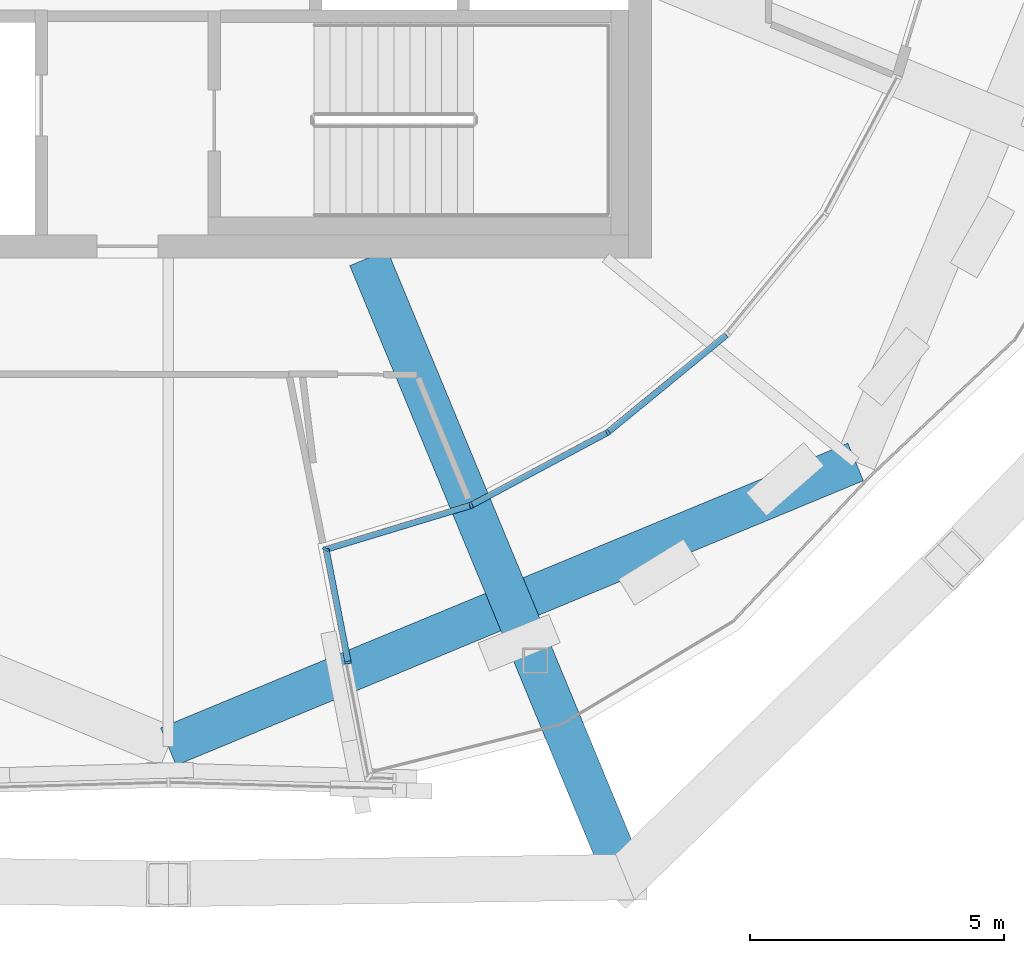
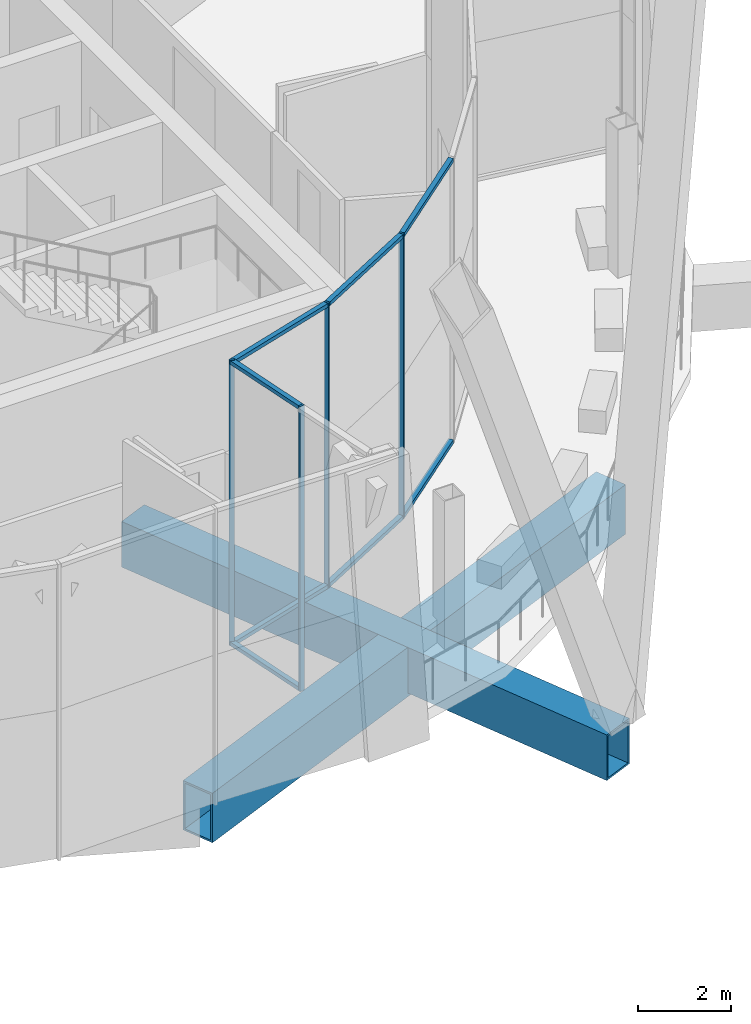
# One storey, part 7 of 53: 12 members, 2 beams, 1 element without a shape of its own.
"""IFC4 building model written with IfcOpenShell, lengths in metres."""

from ifc_helpers import new_model, si_unit, direction, frame, origin, origin_2d, place, context, subcontext, project, spatial, rectangle, hollow_rectangle, extrude, material, material_profile, profile_set, type_object, element, aggregate, save


model = new_model("IFC4")

# Units and contexts
model_context = context("Model", 3, precision=1e-05, world=origin(), true_north=direction((0.0, 1.0)))
body_context = subcontext(model_context, "Body", "Model", "MODEL_VIEW")
ifc_project = project(units=[si_unit("LENGTHUNIT", "METRE"), si_unit("AREAUNIT", "SQUARE_METRE"), si_unit("VOLUMEUNIT", "CUBIC_METRE"), si_unit("PLANEANGLEUNIT", "RADIAN"), si_unit("MASSUNIT", "GRAM", prefix="KILO")], contexts=[model_context])

# Site, building, storey
site_placement = place(None, origin())
site = spatial("IfcSite", under=ifc_project, at=site_placement, CompositionType="ELEMENT")
building_placement = place(site_placement, origin())
building = spatial("IfcBuilding", under=site, at=building_placement, Name="Ogive Gate Towers", CompositionType="ELEMENT")
storey_placement = place(building_placement, frame((0.0, 0.0, 240.60009765625)))
storey = spatial("IfcBuildingStorey", under=building, at=storey_placement, Name="L57", CompositionType="ELEMENT", Elevation=240.60009765625)

# Beam
ifc_material_1 = material(Name="Steel SM460", Category="steel")
ifc_material_profile_1 = material_profile(ifc_material_1, hollow_rectangle(XDim=0.800048828125, YDim=1.300048828125, WallThickness=0.050048828125, at=origin_2d()), Name="BX 1300x800x50")
ifc_profile_set_1 = profile_set([ifc_material_profile_1], Name="Steel SM460")
beam_type_1 = type_object("IfcBeamType", Name="Edge girder BX 1300x800x50", PredefinedType="BEAM", material=ifc_profile_set_1)
beam_1_placement = place(storey_placement, frame((-36.0, -19.110107421875, -0.9501953125), z_axis=(0.923872994947, 0.38269921506, 0.0), x_axis=(-0.38269921506, 0.923872994947, 0.0)))
element("IfcBeam", 1, at=beam_1_placement, inside=storey, type_object=beam_type_1, Name="T1/L57/SBM018", PredefinedType="BEAM", context=body_context, shape_type="SweptSolid", body=[
    extrude(hollow_rectangle(XDim=0.800048828125, YDim=1.300048828125, WallThickness=0.050048828125, at=origin_2d()), origin(), (0.0, 0.0, 1.0), 14.626220703125),
])

# Curtain wall, members
ifc_material_2 = material(Name="Pale metal aluminium", Category="aluminium")
curtain_wall_type = type_object("IfcCurtainWallType", Name="Sky garden glazing", PredefinedType="NOTDEFINED", material=ifc_material_2)
curtain_wall_placement = place(storey_placement, origin())
curtain_wall = element("IfcCurtainWall", 2, at=curtain_wall_placement, inside=storey, type_object=curtain_wall_type, Name="CW4 T1 ECW01", PredefinedType="NOTDEFINED")
ifc_material_profile_2 = material_profile(ifc_material_2, rectangle(XDim=0.1201171875, YDim=0.050048828125, at=origin_2d()), Name="50 x 120 aluminium box")
ifc_profile_set_2 = profile_set([ifc_material_profile_2], Name="Pale metal aluminium")
member_type_1 = type_object("IfcMemberType", Name="Sky garden glazing mullion 50 x 120", PredefinedType="MULLION", material=ifc_profile_set_2)
member_1_placement = place(storey_placement, frame((-27.360595703125, -12.9296875, 0.0), z_axis=(0.0, 0.0, 1.0), x_axis=(-0.555555721053, 0.831479308706, 0.0)))
member_1 = element("IfcMember", 3, at=member_1_placement, type_object=member_type_1, Name="CW4 mullion", PredefinedType="MULLION", context=body_context, shape_type="SweptSolid", body=[
    extrude(rectangle(XDim=0.1201171875, YDim=0.050048828125, at=origin_2d()), origin(), (0.0, 0.0, 1.0), 7.5),
])
member_2_placement = place(storey_placement, frame((-30.049072265625, -14.36669921875, 0.0), z_axis=(0.0, 0.0, 1.0), x_axis=(-0.382683432365, 0.923879532511, 0.0)))
member_2 = element("IfcMember", 4, at=member_2_placement, type_object=member_type_1, Name="CW4 mullion", PredefinedType="MULLION", context=body_context, shape_type="SweptSolid", body=[
    extrude(rectangle(XDim=0.1201171875, YDim=0.050048828125, at=origin_2d()), origin(), (0.0, 0.0, 1.0), 7.5),
])
member_3_placement = place(storey_placement, frame((-32.90869140625, -15.2236328125, 0.0), z_axis=(0.0, 0.0, 1.0), x_axis=(-0.85660947413, 0.515965317469, 0.0)))
member_3 = element("IfcMember", 5, at=member_3_placement, type_object=member_type_1, Name="CW4 mullion", PredefinedType="MULLION", context=body_context, shape_type="SweptSolid", body=[
    extrude(rectangle(XDim=0.1201171875, YDim=0.050048828125, at=origin_2d()), origin(), (0.0, 0.0, 1.0), 7.5),
])
member_4_placement = place(storey_placement, frame((-32.464599609375, -17.45458984375, 0.0), z_axis=(0.0, 0.0, 1.0), x_axis=(-0.981623853053, -0.190826127974, 0.0)))
member_4 = element("IfcMember", 6, at=member_4_placement, type_object=member_type_1, Name="CW4 mullion", PredefinedType="MULLION", context=body_context, shape_type="SweptSolid", body=[
    extrude(rectangle(XDim=0.1201171875, YDim=0.050048828125, at=origin_2d()), origin(), (0.0, 0.0, 1.0), 7.5),
])
ifc_material_profile_3 = material_profile(ifc_material_2, rectangle(XDim=0.1201171875, YDim=0.10009765625, at=origin_2d()), Name="100 x 120 aluminium box")
ifc_profile_set_3 = profile_set([ifc_material_profile_3], Name="Pale metal aluminium")
member_type_2 = type_object("IfcMemberType", Name="Sky garden glazing transom 100 x 120", PredefinedType="USERDEFINED", material=ifc_profile_set_3)
member_5_placement = place(storey_placement, frame((-25.0263671875, -11.014404296875, 7.449951171875), z_axis=(-0.773010752428, -0.634392919751, 0.0), x_axis=(0.634392919751, -0.773010752428, 0.0)))
member_5 = element("IfcMember", 7, at=member_5_placement, type_object=member_type_2, Name="CW4 transom", ObjectType="TRANSOM", PredefinedType="USERDEFINED", context=body_context, shape_type="SweptSolid", body=[
    extrude(rectangle(XDim=0.1201171875, YDim=0.10009765625, at=origin_2d()), origin(), (0.0, 0.0, 1.0), 2.99072265625),
])
member_6_placement = place(storey_placement, frame((-25.0263671875, -11.014404296875, 0.0498046875), z_axis=(-0.773010752428, -0.634392919751, 0.0), x_axis=(0.634392919751, -0.773010752428, 0.0)))
member_6 = element("IfcMember", 8, at=member_6_placement, type_object=member_type_2, Name="CW4 transom", ObjectType="TRANSOM", PredefinedType="USERDEFINED", context=body_context, shape_type="SweptSolid", body=[
    extrude(rectangle(XDim=0.1201171875, YDim=0.10009765625, at=origin_2d()), origin(), (0.0, 0.0, 1.0), 2.99072265625),
])
member_7_placement = place(storey_placement, frame((-27.385986328125, -12.943603515625, 7.449951171875), z_axis=(-0.881932253821, -0.471376176392, 0.0), x_axis=(0.471376176392, -0.881932253821, 0.0)))
member_7 = element("IfcMember", 9, at=member_7_placement, type_object=member_type_2, Name="CW4 transom", ObjectType="TRANSOM", PredefinedType="USERDEFINED", context=body_context, shape_type="SweptSolid", body=[
    extrude(rectangle(XDim=0.1201171875, YDim=0.10009765625, at=origin_2d()), origin(), (0.0, 0.0, 1.0), 2.990478515625),
])
member_8_placement = place(storey_placement, frame((-27.385986328125, -12.943603515625, 0.0498046875), z_axis=(-0.881932253821, -0.471376176392, 0.0), x_axis=(0.471376176392, -0.881932253821, 0.0)))
member_8 = element("IfcMember", 10, at=member_8_placement, type_object=member_type_2, Name="CW4 transom", ObjectType="TRANSOM", PredefinedType="USERDEFINED", context=body_context, shape_type="SweptSolid", body=[
    extrude(rectangle(XDim=0.1201171875, YDim=0.10009765625, at=origin_2d()), origin(), (0.0, 0.0, 1.0), 2.990478515625),
])
member_9_placement = place(storey_placement, frame((-30.07666015625, -14.375244140625, 7.449951171875), z_axis=(-0.956947323185, -0.290261641711, 0.0), x_axis=(0.290261641711, -0.956947323185, 0.0)))
member_9 = element("IfcMember", 11, at=member_9_placement, type_object=member_type_2, Name="CW4 transom", ObjectType="TRANSOM", PredefinedType="USERDEFINED", context=body_context, shape_type="SweptSolid", body=[
    extrude(rectangle(XDim=0.1201171875, YDim=0.10009765625, at=origin_2d()), origin(), (0.0, 0.0, 1.0), 2.958251953125),
])
member_10_placement = place(storey_placement, frame((-30.07666015625, -14.375244140625, 0.0498046875), z_axis=(-0.956947323185, -0.290261641711, 0.0), x_axis=(0.290261641711, -0.956947323185, 0.0)))
member_10 = element("IfcMember", 12, at=member_10_placement, type_object=member_type_2, Name="CW4 transom", ObjectType="TRANSOM", PredefinedType="USERDEFINED", context=body_context, shape_type="SweptSolid", body=[
    extrude(rectangle(XDim=0.1201171875, YDim=0.10009765625, at=origin_2d()), origin(), (0.0, 0.0, 1.0), 2.958251953125),
])
member_11_placement = place(storey_placement, frame((-32.89892578125, -15.219970703125, 7.449951171875), z_axis=(0.190858048934, -0.98161764713, 0.0), x_axis=(0.98161764713, 0.190858048934, 0.0)))
member_11 = element("IfcMember", 13, at=member_11_placement, type_object=member_type_2, Name="CW4 transom", ObjectType="TRANSOM", PredefinedType="USERDEFINED", context=body_context, shape_type="SweptSolid", body=[
    extrude(rectangle(XDim=0.1201171875, YDim=0.10009765625, at=origin_2d()), origin(), (0.0, 0.0, 1.0), 2.25146484375),
])
member_12_placement = place(storey_placement, frame((-32.89892578125, -15.219970703125, 0.0498046875), z_axis=(0.190858048934, -0.98161764713, 0.0), x_axis=(0.98161764713, 0.190858048934, 0.0)))
member_12 = element("IfcMember", 14, at=member_12_placement, type_object=member_type_2, Name="CW4 transom", ObjectType="TRANSOM", PredefinedType="USERDEFINED", context=body_context, shape_type="SweptSolid", body=[
    extrude(rectangle(XDim=0.1201171875, YDim=0.10009765625, at=origin_2d()), origin(), (0.0, 0.0, 1.0), 2.25146484375),
])
aggregate(curtain_wall, [member_1, member_5, member_6, member_2, member_7, member_8, member_3, member_9, member_10, member_4, member_11, member_12])

# Beam
ifc_material_profile_4 = material_profile(ifc_material_1, hollow_rectangle(XDim=0.800048828125, YDim=1.199951171875, WallThickness=0.050048828125, at=origin_2d()), Name="BX 1200x800x50")
ifc_profile_set_4 = profile_set([ifc_material_profile_4], Name="Steel SM460")
beam_type_2 = type_object("IfcBeamType", Name="Transfer radial beam BX 1200x800x50", PredefinedType="BEAM", material=ifc_profile_set_4)
beam_2_placement = place(storey_placement, frame((-32.06494140625, -9.5, -0.900146484375), z_axis=(0.382680688612, -0.923880669006, 0.0), x_axis=(0.923880669006, 0.382680688612, 0.0)))
element("IfcBeam", 15, at=beam_2_placement, inside=storey, type_object=beam_type_2, Name="T1/L57/SBM004", PredefinedType="BEAM", context=body_context, shape_type="SweptSolid", body=[
    extrude(hollow_rectangle(XDim=0.800048828125, YDim=1.199951171875, WallThickness=0.050048828125, at=origin_2d()), origin(), (0.0, 0.0, 1.0), 13.177490234375),
])

save(model, "model.ifc")
